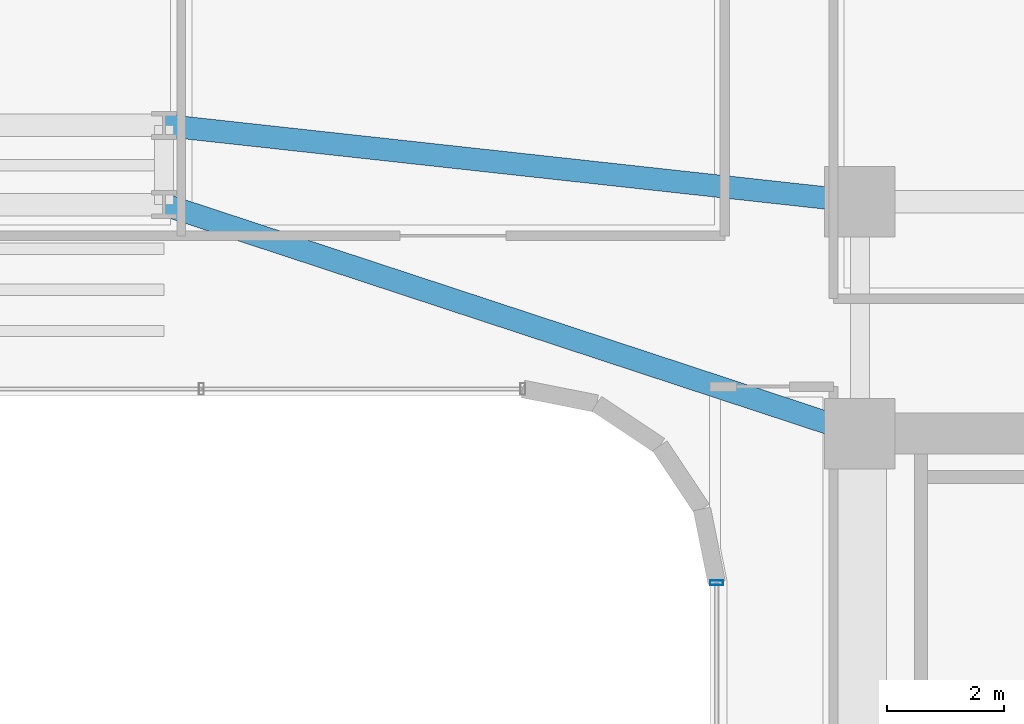
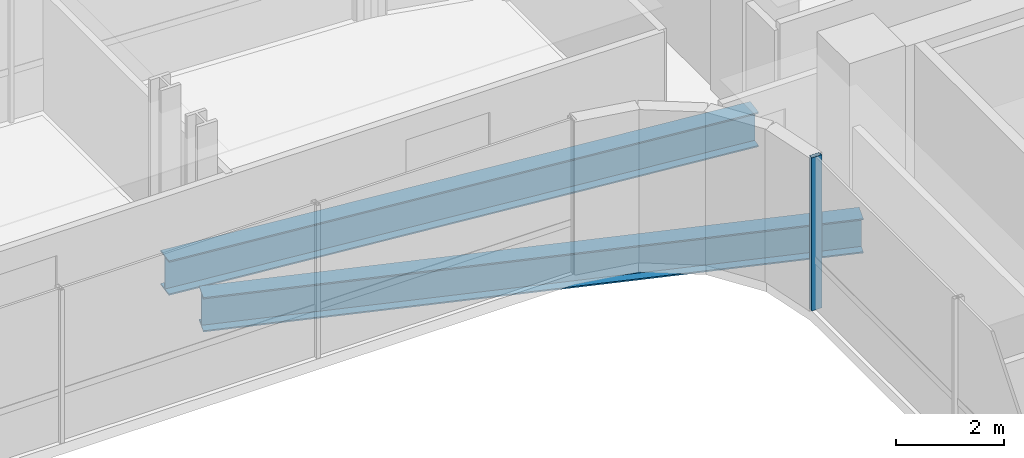
# One storey, part 15 of 35: 2 beams, 1 member, 1 element without a shape of its own.
"""IFC4 building model written with IfcOpenShell, lengths in metres."""

from ifc_helpers import new_model, si_unit, direction, frame, origin, origin_2d, place, context, subcontext, project, spatial, hollow_rectangle, i_section, extrude, source, transform, mapped, material, material_profile, profile_set, type_object, element, aggregate, save


model = new_model("IFC4")

# Units and contexts
model_context = context("Model", 3, precision=1e-05, world=origin(), true_north=direction((0.0, 1.0)))
body_context = subcontext(model_context, "Body", "Model", "MODEL_VIEW")
ifc_project = project(units=[si_unit("LENGTHUNIT", "METRE"), si_unit("AREAUNIT", "SQUARE_METRE"), si_unit("VOLUMEUNIT", "CUBIC_METRE"), si_unit("PLANEANGLEUNIT", "RADIAN"), si_unit("MASSUNIT", "GRAM", prefix="KILO")], contexts=[model_context])

# Site, building, storey
site_placement = place(None, origin())
site = spatial("IfcSite", under=ifc_project, at=site_placement, CompositionType="ELEMENT")
building_placement = place(site_placement, origin())
building = spatial("IfcBuilding", under=site, at=building_placement, Name="Valdorenza Pilgrim Sanctuary Tower", CompositionType="ELEMENT")
storey_placement = place(building_placement, frame((0.0, 0.0, 139.0)))
storey = spatial("IfcBuildingStorey", under=building, at=storey_placement, Name="L35", CompositionType="ELEMENT", Elevation=139.0)

# Beams
ifc_material_1 = material(Name="Steel ASTM A992 Grade 50", Category="steel")
ifc_material_profile_1 = material_profile(ifc_material_1, i_section(OverallWidth=0.382080078125, OverallDepth=0.779052734375, WebThickness=0.01806640625, FlangeThickness=0.030029296875, at=origin_2d()), Name="W30X191")
ifc_profile_set_1 = profile_set([ifc_material_profile_1], Name="Steel ASTM A992 Grade 50")
beam_type = type_object("IfcBeamType", Name="STR-BM-GRD-W30", PredefinedType="BEAM", material=ifc_profile_set_1)
shared_shape_1 = source(origin(), body_context, "Body", "SweptSolid", [
    extrude(i_section(OverallWidth=0.382080078125, OverallDepth=0.779052734375, WebThickness=0.01806640625, FlangeThickness=0.030029296875, at=origin_2d()), origin(), (0.0, 0.0, 1.0), 12.475341796875),
])
beam_1_placement = place(storey_placement, frame((4.0, 13.449951171875, -0.62939453125), z_axis=(0.949881908141, -0.312608957943, 0.0), x_axis=(0.312608957943, 0.949881908141, 0.0)))
element("IfcBeam", 1, at=beam_1_placement, inside=storey, type_object=beam_type, Name="L35 Floor Girder KNK-G3", PredefinedType="BEAM", context=body_context, shape_type="MappedRepresentation", body=[
    mapped(shared_shape_1, transform((0.0, 0.0, 0.0), x_axis=(1.0, 0.0, 0.0), y_axis=(0.0, 1.0, 0.0), z_axis=(0.0, 0.0, 1.0), scale=1.0)),
])
shared_shape_2 = source(origin(), body_context, "Body", "SweptSolid", [
    extrude(i_section(OverallWidth=0.382080078125, OverallDepth=0.779052734375, WebThickness=0.01806640625, FlangeThickness=0.030029296875, at=origin_2d()), origin(), (0.0, 0.0, 1.0), 11.921142578125),
])
beam_2_placement = place(storey_placement, frame((4.0, 14.800048828125, -0.62939453125), z_axis=(0.994035876607, -0.10905354656, 0.0), x_axis=(0.10905354656, 0.994035876607, 0.0)))
element("IfcBeam", 2, at=beam_2_placement, inside=storey, type_object=beam_type, Name="L35 Floor Girder KNK-G6", PredefinedType="BEAM", context=body_context, shape_type="MappedRepresentation", body=[
    mapped(shared_shape_2, transform((0.0, 0.0, 0.0), x_axis=(1.0, 0.0, 0.0), y_axis=(0.0, 1.0, 0.0), z_axis=(0.0, 0.0, 1.0), scale=1.0)),
])

# Curtain wall, member
ifc_material_2 = material(Name="Curtain-wall IGU glazing", Category="glass")
curtain_wall_type = type_object("IfcCurtainWallType", Name="CW-SYS-03", PredefinedType="NOTDEFINED", material=ifc_material_2)
curtain_wall_placement = place(storey_placement, origin())
curtain_wall = element("IfcCurtainWall", 3, at=curtain_wall_placement, inside=storey, type_object=curtain_wall_type, Name="L35 Curtain Wall CW-L35-1-31", PredefinedType="NOTDEFINED")
ifc_material_3 = material(Name="Anodised aluminium AW-6060", Category="aluminium")
ifc_material_profile_2 = material_profile(ifc_material_3, hollow_rectangle(XDim=0.0849609375, YDim=0.219970703125, WallThickness=0.0048828125, at=origin_2d()), Name="ALU-M 220x85x5")
ifc_profile_set_2 = profile_set([ifc_material_profile_2], Name="Anodised aluminium AW-6060")
member_type = type_object("IfcMemberType", Name="CW-MUL-03", PredefinedType="MULLION", material=ifc_profile_set_2)
shared_shape_3 = source(origin(), body_context, "Body", "SweptSolid", [
    extrude(hollow_rectangle(XDim=0.0849609375, YDim=0.219970703125, WallThickness=0.0048828125, at=origin_2d()), origin(), (0.0, 0.0, 1.0), 3.4599609375),
])
member_placement = place(storey_placement, frame((13.409912109375, 7.0107421875, 0.0), z_axis=(0.0, 0.0, 1.0), x_axis=(0.0, 1.0, 0.0)))
member = element("IfcMember", 4, at=member_placement, type_object=member_type, Name="CW-L35-1-31 Mullion 4", PredefinedType="MULLION", context=body_context, shape_type="MappedRepresentation", body=[
    mapped(shared_shape_3, transform((0.0, 0.0, 0.0), x_axis=(1.0, 0.0, 0.0), y_axis=(0.0, 1.0, 0.0), z_axis=(0.0, 0.0, 1.0), scale=1.0)),
])
aggregate(curtain_wall, [member])

save(model, "model.ifc")
